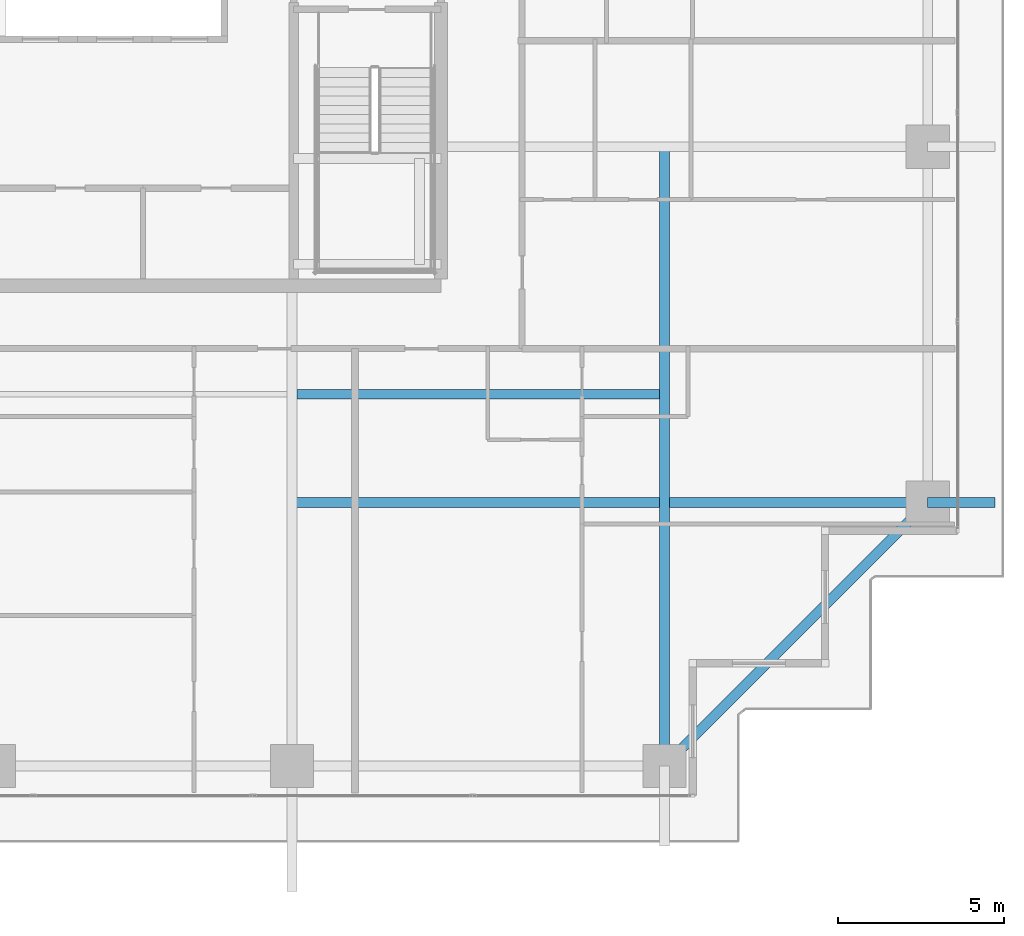
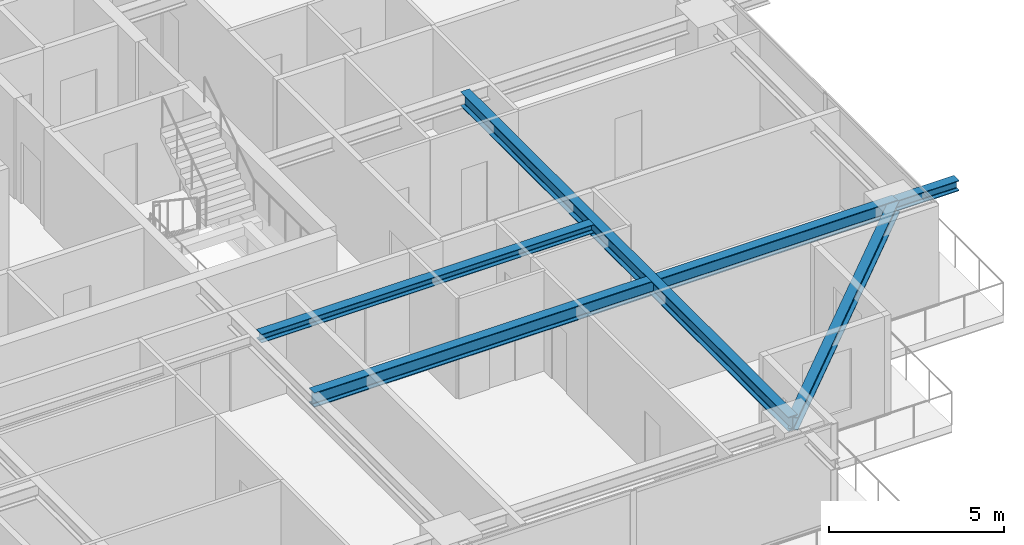
# One storey, part 13 of 37: 5 beams.
"""IFC4 building model written with IfcOpenShell, lengths in metres."""

from ifc_helpers import new_model, si_unit, direction, frame, origin, origin_2d, place, context, subcontext, project, spatial, i_section, extrude, source, transform, mapped, material, material_profile, profile_set, type_object, element, save


model = new_model("IFC4")

# Units and contexts
model_context = context("Model", 3, precision=1e-05, world=origin(), true_north=direction((0.0, 1.0)))
body_context = subcontext(model_context, "Body", "Model", "MODEL_VIEW")
ifc_project = project(units=[si_unit("LENGTHUNIT", "METRE"), si_unit("AREAUNIT", "SQUARE_METRE"), si_unit("VOLUMEUNIT", "CUBIC_METRE"), si_unit("PLANEANGLEUNIT", "RADIAN"), si_unit("MASSUNIT", "GRAM", prefix="KILO")], contexts=[model_context])

# Site, building, storey
site_placement = place(None, origin())
site = spatial("IfcSite", under=ifc_project, at=site_placement, CompositionType="ELEMENT")
building_placement = place(site_placement, origin())
building = spatial("IfcBuilding", under=site, at=building_placement, Name="Serunith Strait Residences", CompositionType="ELEMENT")
storey_placement = place(building_placement, frame((0.0, 0.0, 138.89990234375)))
storey = spatial("IfcBuildingStorey", under=building, at=storey_placement, Name="L34", CompositionType="ELEMENT", Elevation=138.89990234375)

# Beams
ifc_material = material(Name="Steel S355J2", Category="steel")
ifc_material_profile_1 = material_profile(ifc_material, i_section(OverallWidth=0.300048828125, OverallDepth=0.5, WebThickness=0.014404296875, FlangeThickness=0.028076171875, FilletRadius=0.027099609375, at=origin_2d()), Name="HEB 500")
ifc_profile_set_1 = profile_set([ifc_material_profile_1], Name="Steel S355J2")
beam_type_1 = type_object("IfcBeamType", Name="BM-HEB500", PredefinedType="BEAM", material=ifc_profile_set_1)
shared_shape_1 = source(origin(), body_context, "Body", "SweptSolid", [
    extrude(i_section(OverallWidth=0.300048828125, OverallDepth=0.5, WebThickness=0.014404296875, FlangeThickness=0.028076171875, FilletRadius=0.027099609375, at=origin_2d()), origin(), (0.0, 0.0, 1.0), 18.699951171875),
])
beam_1_placement = place(storey_placement, frame((48.14990234375, 21.0, 3.237060546875), z_axis=(0.0, -1.0, 0.0), x_axis=(1.0, 0.0, 0.0)))
element("IfcBeam", 1, at=beam_1_placement, inside=storey, type_object=beam_type_1, Name="L34 Orthogonal Corner Girder TC-S4", PredefinedType="BEAM", context=body_context, shape_type="MappedRepresentation", body=[
    mapped(shared_shape_1, transform((0.0, 0.0, 0.0), scale=1.0)),
])
shared_shape_2 = source(origin(), body_context, "Body", "SweptSolid", [
    extrude(i_section(OverallWidth=0.300048828125, OverallDepth=0.5, WebThickness=0.014404296875, FlangeThickness=0.028076171875, FilletRadius=0.027099609375, at=origin_2d()), origin(), (0.0, 0.0, 1.0), 19.2001953125),
])
beam_2_placement = place(storey_placement, frame((36.89990234375, 10.25, 3.237060546875), z_axis=(1.0, 0.0, 0.0), x_axis=(0.0, 1.0, 0.0)))
element("IfcBeam", 2, at=beam_2_placement, inside=storey, type_object=beam_type_1, Name="L34 Orthogonal Corner Girder TC-E1", PredefinedType="BEAM", context=body_context, shape_type="MappedRepresentation", body=[
    mapped(shared_shape_2, transform((0.0, 0.0, 0.0), scale=1.0)),
])
ifc_material_profile_2 = material_profile(ifc_material, i_section(OverallWidth=0.300048828125, OverallDepth=0.449951171875, WebThickness=0.013916015625, FlangeThickness=0.02587890625, FilletRadius=0.027099609375, at=origin_2d()), Name="HEB 450")
ifc_profile_set_2 = profile_set([ifc_material_profile_2], Name="Steel S355J2")
beam_type_2 = type_object("IfcBeamType", Name="BM-HEB450", PredefinedType="BEAM", material=ifc_profile_set_2)
shared_shape_3 = source(origin(), body_context, "Body", "SweptSolid", [
    extrude(i_section(OverallWidth=0.300048828125, OverallDepth=0.449951171875, WebThickness=0.013916015625, FlangeThickness=0.02587890625, FilletRadius=0.027099609375, at=origin_2d()), origin(), (0.0, 0.0, 1.0), 11.2431640625),
])
beam_3_placement = place(storey_placement, frame((48.14990234375, 2.300048828125, 3.232177734375), z_axis=(0.707117638455, 0.707095923751, 0.0), x_axis=(-0.707095923751, 0.707117638455, 0.0)))
element("IfcBeam", 3, at=beam_3_placement, inside=storey, type_object=beam_type_2, Name="L34 Perimeter Ring Beam 04", PredefinedType="BEAM", context=body_context, shape_type="MappedRepresentation", body=[
    mapped(shared_shape_3, transform((0.0, 0.0, 0.0), scale=1.0)),
])
ifc_material_profile_3 = material_profile(ifc_material, i_section(OverallWidth=0.300048828125, OverallDepth=0.360107421875, WebThickness=0.012451171875, FlangeThickness=0.0224609375, FilletRadius=0.027099609375, at=origin_2d()), Name="HEB 360")
ifc_profile_set_3 = profile_set([ifc_material_profile_3], Name="Steel S355J2")
beam_type_3 = type_object("IfcBeamType", Name="BM-HEB360", PredefinedType="BEAM", material=ifc_profile_set_3)
shared_shape_4 = source(origin(), body_context, "Body", "SweptSolid", [
    extrude(i_section(OverallWidth=0.300048828125, OverallDepth=0.360107421875, WebThickness=0.012451171875, FlangeThickness=0.0224609375, FilletRadius=0.027099609375, at=origin_2d()), origin(), (0.0, 0.0, 1.0), 2.02978515625),
])
beam_4_placement = place(storey_placement, frame((56.10009765625, 10.25, 3.277099609375), z_axis=(1.0, 0.0, 0.0), x_axis=(0.0, 1.0, 0.0)))
element("IfcBeam", 4, at=beam_4_placement, inside=storey, type_object=beam_type_3, Name="L35 Cantilevered Balcony Rib TC-E1", PredefinedType="BEAM", context=body_context, shape_type="MappedRepresentation", body=[
    mapped(shared_shape_4, transform((0.0, 0.0, 0.0), scale=1.0)),
])
ifc_material_profile_4 = material_profile(ifc_material, i_section(OverallWidth=0.300048828125, OverallDepth=0.300048828125, WebThickness=0.010986328125, FlangeThickness=0.01904296875, FilletRadius=0.027099609375, at=origin_2d()), Name="HEB 300")
ifc_profile_set_4 = profile_set([ifc_material_profile_4], Name="Steel S355J2")
beam_type_4 = type_object("IfcBeamType", Name="BM-HEB300", PredefinedType="JOIST", material=ifc_profile_set_4)
shared_shape_5 = source(origin(), body_context, "Body", "SweptSolid", [
    extrude(i_section(OverallWidth=0.300048828125, OverallDepth=0.300048828125, WebThickness=0.010986328125, FlangeThickness=0.01904296875, FilletRadius=0.027099609375, at=origin_2d()), origin(), (0.0, 0.0, 1.0), 10.949951171875),
])
beam_5_placement = place(storey_placement, frame((37.050048828125, 13.52490234375, 3.337158203125), z_axis=(1.0, 0.0, 0.0), x_axis=(0.0, 1.0, 0.0)))
element("IfcBeam", 5, at=beam_5_placement, inside=storey, type_object=beam_type_4, Name="L34 Composite Floor Joist 03", PredefinedType="JOIST", context=body_context, shape_type="MappedRepresentation", body=[
    mapped(shared_shape_5, transform((0.0, 0.0, 0.0), scale=1.0)),
])

save(model, "model.ifc")
